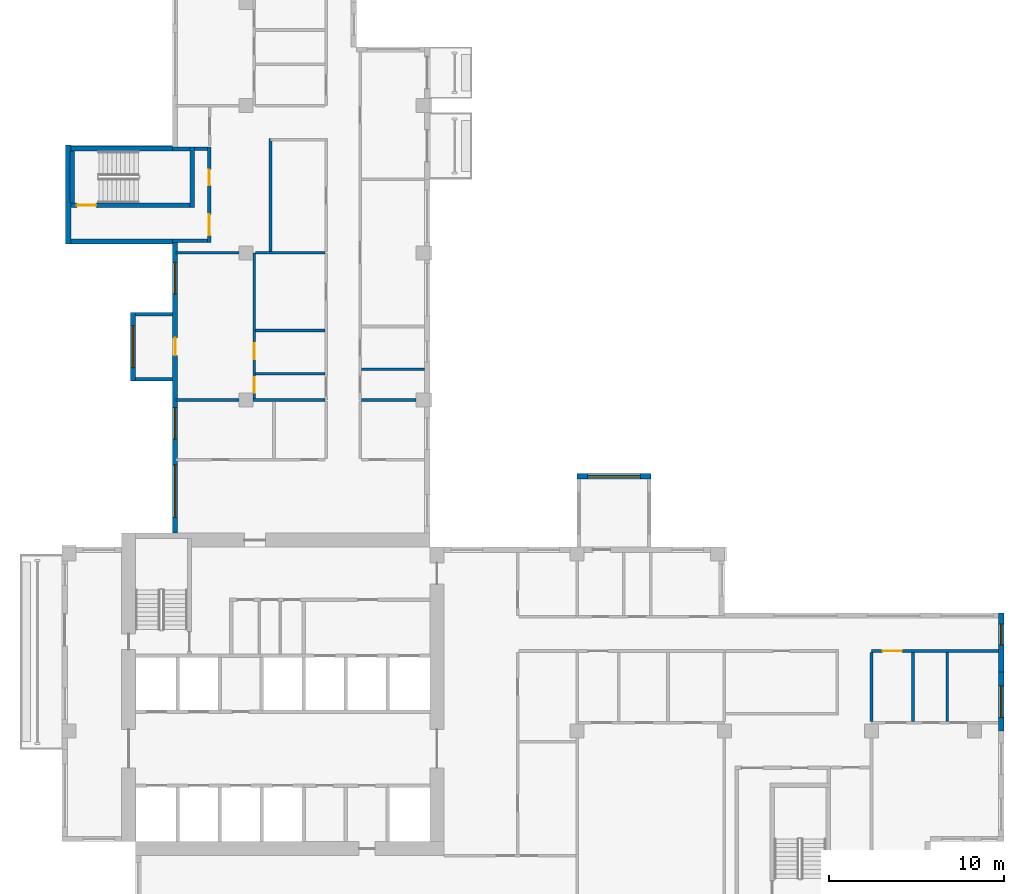
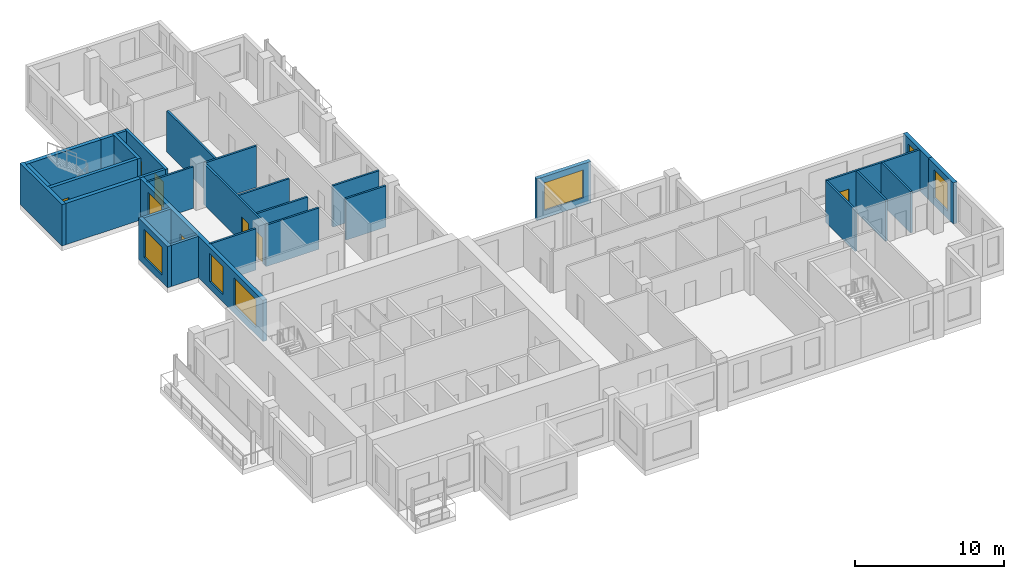
# One storey, part 6 of 12: 31 walls, 7 doors, 7 windows, 14 openings.
"""IFC4 building model written with IfcOpenShell, lengths in metres."""

from ifc_helpers import new_model, si_unit, direction, frame, frame_2d, origin, place, context, subcontext, project, spatial, rectangle, extrude, source, transform, mapped, material, layer, layer_set, type_object, element, fill, save


model = new_model("IFC4")

# Units and contexts
model_context = context("Model", 3, precision=1e-05, world=origin(), true_north=direction((0.0, 1.0)))
body_context = subcontext(model_context, "Body", "Model", "MODEL_VIEW")
ifc_project = project(units=[si_unit("LENGTHUNIT", "METRE"), si_unit("AREAUNIT", "SQUARE_METRE"), si_unit("VOLUMEUNIT", "CUBIC_METRE"), si_unit("PLANEANGLEUNIT", "RADIAN"), si_unit("MASSUNIT", "GRAM", prefix="KILO")], contexts=[model_context])

# Site, building, storey
site_placement = place(None, origin())
site = spatial("IfcSite", under=ifc_project, at=site_placement, CompositionType="ELEMENT")
building_placement = place(site_placement, origin())
building = spatial("IfcBuilding", under=site, at=building_placement, Name="Aurelian Terraces", CompositionType="ELEMENT")
storey_placement = place(building_placement, frame((0.0, 0.0, 246.2)))
storey = spatial("IfcBuildingStorey", under=building, at=storey_placement, Name="L56", CompositionType="ELEMENT", Elevation=246.2)

# Walls
ifc_material_1 = material(Name="Concrete fc' 40 MPa", Category="concrete")
ifc_layer_1 = layer(ifc_material_1, 0.3)
ifc_layer_set_1 = layer_set([ifc_layer_1], Name="STAIR BAY WALL 300")
wall_type_1 = type_object("IfcWallType", Name="STAIR BAY WALL 300", PredefinedType="SOLIDWALL", material=ifc_layer_set_1)
shared_shape_1 = source(origin(), body_context, "Body", "SweptSolid", [
    extrude(rectangle(XDim=6.1, YDim=0.3, at=frame_2d((3.05, 0.0))), origin(), (0.0, 0.0, 1.0), 3.4),
])
for number, where, z_axis, x_axis, name in (
    (1, (6.3, 43.75, 0.0), (0.0, 0.0, 1.0), (-1.0, 0.0, 0.0), "Stair bay wall L56 F13.28"),
    (2, (0.2, 38.45, 0.0), (0.0, 0.0, 1.0), (1.0, 0.0, 0.0), "Stair bay wall L56 F15.30"),
):
    element("IfcWall", number, at=place(storey_placement, frame(where, z_axis=z_axis, x_axis=x_axis)), inside=storey, type_object=wall_type_1, Name=name, PredefinedType="SOLIDWALL", context=body_context, shape_type="MappedRepresentation", body=[
        mapped(shared_shape_1, transform((0.0, 0.0, 0.0), scale=1.0)),
    ])

# Wall, opening, window
ifc_layer_2 = layer(ifc_material_1, 0.3)
ifc_layer_set_2 = layer_set([ifc_layer_2], Name="BOX BEARING WALL 300")
wall_type_2 = type_object("IfcWallType", Name="BOX BEARING WALL 300", PredefinedType="SOLIDWALL", material=ifc_layer_set_2)
shared_shape_2 = source(origin(), body_context, "Body", "SweptSolid", [
    extrude(rectangle(XDim=4.2, YDim=0.3, at=frame_2d((2.1, 0.0))), origin(), (0.0, 0.0, 1.0), 3.4),
])
wall_1_placement = place(storey_placement, frame((33.6, 25.05, 0.0), z_axis=(0.0, 0.0, 1.0), x_axis=(-1.0, 0.0, 0.0)))
wall_1 = element("IfcWall", 3, at=wall_1_placement, inside=storey, type_object=wall_type_2, Name="Box wall L56 J81", PredefinedType="SOLIDWALL", context=body_context, shape_type="MappedRepresentation", body=[
    mapped(shared_shape_2, transform((0.0, 0.0, 0.0), scale=1.0)),
])
shared_shape_3 = source(origin(), body_context, "Body", "SweptSolid", [
    extrude(rectangle(XDim=3.0, YDim=2.3, at=frame_2d((1.5, 1.15))), frame((0.0, 0.16, 0.0), z_axis=(0.0, -1.0, 0.0), x_axis=(1.0, 0.0, 0.0)), (0.0, 0.0, 1.0), 0.32),
])
opening_1_placement = place(wall_1_placement, frame((0.6, 0.0, 0.6)))
opening_1 = element("IfcOpeningElement", 4, at=opening_1_placement, cuts=wall_1, Name="Opening W3023", PredefinedType="OPENING", context=body_context, shape_type="MappedRepresentation", body=[
    mapped(shared_shape_3, transform((0.0, 0.0, 0.0), scale=1.0)),
])
ifc_material_2 = material(Name="Clear glazing", Category="glass")
window_type_1 = type_object("IfcWindowType", Name="W-3000x2300", PartitioningType="SINGLE_PANEL", PredefinedType="WINDOW", material=ifc_material_2)
shared_shape_4 = source(origin(), body_context, "Body", "SweptSolid", [
    extrude(rectangle(XDim=3.0, YDim=2.3, at=frame_2d((1.5, 1.15))), frame((0.0, 0.03, 0.0), z_axis=(0.0, -1.0, 0.0), x_axis=(1.0, 0.0, 0.0)), (0.0, 0.0, 1.0), 0.06),
])
window_1_placement = place(opening_1_placement, origin())
window_1 = element("IfcWindow", 5, at=window_1_placement, inside=storey, type_object=window_type_1, Name="Window L56 J81-F1", OverallHeight=2.3, OverallWidth=3.0, PartitioningType="SINGLE_PANEL", PredefinedType="WINDOW", context=body_context, shape_type="MappedRepresentation", body=[
    mapped(shared_shape_4, transform((0.0, 0.0, 0.0), scale=1.0)),
])
fill(opening_1, window_1)

ifc_material_3 = material(Name="Terracotta rainscreen cladding", Category="masonry")
ifc_layer_3 = layer(ifc_material_3, 0.3)
ifc_layer_set_3 = layer_set([ifc_layer_3], Name="EW-300")
wall_type_3 = type_object("IfcWallType", Name="EW-300", PredefinedType="STANDARD", material=ifc_layer_set_3)
shared_shape_5 = source(origin(), body_context, "Body", "SweptSolid", [
    extrude(rectangle(XDim=3.375, YDim=0.3, at=frame_2d((1.6875, 0.0))), origin(), (0.0, 0.0, 1.0), 3.4),
])
wall_2_placement = place(storey_placement, frame((53.61, 10.5, 0.0), z_axis=(0.0, 0.0, 1.0), x_axis=(0.0, 1.0, 0.0)))
wall_2 = element("IfcWall", 6, at=wall_2_placement, inside=storey, type_object=wall_type_3, Name="External wall L56 F04.12", PredefinedType="STANDARD", context=body_context, shape_type="MappedRepresentation", body=[
    mapped(shared_shape_5, transform((0.0, 0.0, 0.0), scale=1.0)),
])
shared_shape_6 = source(origin(), body_context, "Body", "SweptSolid", [
    extrude(rectangle(XDim=1.8, YDim=2.3, at=frame_2d((0.9, 1.15))), frame((0.0, 0.16, 0.0), z_axis=(0.0, -1.0, 0.0), x_axis=(1.0, 0.0, 0.0)), (0.0, 0.0, 1.0), 0.32),
])
opening_2_placement = place(wall_2_placement, frame((0.7875, 0.0, 0.6)))
opening_2 = element("IfcOpeningElement", 7, at=opening_2_placement, cuts=wall_2, Name="Opening W1823", PredefinedType="OPENING", context=body_context, shape_type="MappedRepresentation", body=[
    mapped(shared_shape_6, transform((0.0, 0.0, 0.0), scale=1.0)),
])
window_type_2 = type_object("IfcWindowType", Name="W-1800x2300", PartitioningType="SINGLE_PANEL", PredefinedType="WINDOW", material=ifc_material_2)
shared_shape_7 = source(origin(), body_context, "Body", "SweptSolid", [
    extrude(rectangle(XDim=1.8, YDim=2.3, at=frame_2d((0.9, 1.15))), frame((0.0, 0.03, 0.0), z_axis=(0.0, -1.0, 0.0), x_axis=(1.0, 0.0, 0.0)), (0.0, 0.0, 1.0), 0.06),
])
window_2_placement = place(opening_2_placement, origin())
window_2 = element("IfcWindow", 8, at=window_2_placement, inside=storey, type_object=window_type_2, Name="Window L56 L56-F04-12-0", OverallHeight=2.3, OverallWidth=1.8, PartitioningType="SINGLE_PANEL", PredefinedType="WINDOW", context=body_context, shape_type="MappedRepresentation", body=[
    mapped(shared_shape_7, transform((0.0, 0.0, 0.0), scale=1.0)),
])
fill(opening_2, window_2)

wall_3_placement = place(storey_placement, frame((53.61, 13.875, 0.0), z_axis=(0.0, 0.0, 1.0), x_axis=(0.0, 1.0, 0.0)))
wall_3 = element("IfcWall", 9, at=wall_3_placement, inside=storey, type_object=wall_type_3, Name="External wall L56 F04.13", PredefinedType="STANDARD", context=body_context, shape_type="MappedRepresentation", body=[
    mapped(shared_shape_5, transform((0.0, 0.0, 0.0), scale=1.0)),
])
shared_shape_8 = source(origin(), body_context, "Body", "SweptSolid", [
    extrude(rectangle(XDim=1.2, YDim=2.3, at=frame_2d((0.6, 1.15))), frame((0.0, 0.16, 0.0), z_axis=(0.0, -1.0, 0.0), x_axis=(1.0, 0.0, 0.0)), (0.0, 0.0, 1.0), 0.32),
])
opening_3_placement = place(wall_3_placement, frame((1.5312, 0.0, 0.6)))
opening_3 = element("IfcOpeningElement", 10, at=opening_3_placement, cuts=wall_3, Name="Opening W1223", PredefinedType="OPENING", context=body_context, shape_type="MappedRepresentation", body=[
    mapped(shared_shape_8, transform((0.0, 0.0, 0.0), scale=1.0)),
])
window_type_3 = type_object("IfcWindowType", Name="W-1200x2300", PartitioningType="SINGLE_PANEL", PredefinedType="WINDOW", material=ifc_material_2)
shared_shape_9 = source(origin(), body_context, "Body", "SweptSolid", [
    extrude(rectangle(XDim=1.2, YDim=2.3, at=frame_2d((0.6, 1.15))), frame((0.0, 0.03, 0.0), z_axis=(0.0, -1.0, 0.0), x_axis=(1.0, 0.0, 0.0)), (0.0, 0.0, 1.0), 0.06),
])
window_3_placement = place(opening_3_placement, origin())
window_3 = element("IfcWindow", 11, at=window_3_placement, inside=storey, type_object=window_type_3, Name="Window L56 L56-F04-13-P0", OverallHeight=2.3, OverallWidth=1.2, PartitioningType="SINGLE_PANEL", PredefinedType="WINDOW", context=body_context, shape_type="MappedRepresentation", body=[
    mapped(shared_shape_9, transform((0.0, 0.0, 0.0), scale=1.0)),
])
fill(opening_3, window_3)

# Wall
shared_shape_10 = source(origin(), body_context, "Body", "SweptSolid", [
    extrude(rectangle(XDim=5.65, YDim=0.3, at=frame_2d((2.825, 0.0))), origin(), (0.0, 0.0, 1.0), 3.4),
])
wall_4_placement = place(storey_placement, frame((0.35, 43.95, 0.0), z_axis=(0.0, 0.0, 1.0), x_axis=(0.0, -1.0, 0.0)))
element("IfcWall", 12, at=wall_4_placement, inside=storey, type_object=wall_type_1, Name="Stair bay wall L56 F14.29", PredefinedType="SOLIDWALL", context=body_context, shape_type="MappedRepresentation", body=[
    mapped(shared_shape_10, transform((0.0, 0.0, 0.0), scale=1.0)),
])

# Wall, openings, windows, door
shared_shape_11 = source(origin(), body_context, "Body", "SweptSolid", [
    extrude(rectangle(XDim=16.6, YDim=0.3, at=frame_2d((8.3, 0.0))), origin(), (0.0, 0.0, 1.0), 3.4),
])
wall_5_placement = place(storey_placement, frame((6.45, 38.4, 0.0), z_axis=(0.0, 0.0, 1.0), x_axis=(0.0, -1.0, 0.0)))
wall_5 = element("IfcWall", 13, at=wall_5_placement, inside=storey, type_object=wall_type_3, Name="External wall L56 F16.31", PredefinedType="STANDARD", context=body_context, shape_type="MappedRepresentation", body=[
    mapped(shared_shape_11, transform((0.0, 0.0, 0.0), scale=1.0)),
])
opening_4_placement = place(wall_5_placement, frame((1.15, 0.0, 0.6)))
opening_4 = element("IfcOpeningElement", 14, at=opening_4_placement, cuts=wall_5, Name="Opening W1823", PredefinedType="OPENING", context=body_context, shape_type="MappedRepresentation", body=[
    mapped(shared_shape_6, transform((0.0, 0.0, 0.0), scale=1.0)),
])
opening_5_placement = place(wall_5_placement, frame((9.4375, 0.0, 0.6)))
opening_5 = element("IfcOpeningElement", 15, at=opening_5_placement, cuts=wall_5, Name="Opening W1823", PredefinedType="OPENING", context=body_context, shape_type="MappedRepresentation", body=[
    mapped(shared_shape_6, transform((0.0, 0.0, 0.0), scale=1.0)),
])
opening_6_placement = place(wall_5_placement, frame((12.7, 0.0, 0.6)))
opening_6 = element("IfcOpeningElement", 16, at=opening_6_placement, cuts=wall_5, Name="Opening W3023", PredefinedType="OPENING", context=body_context, shape_type="MappedRepresentation", body=[
    mapped(shared_shape_3, transform((0.0, 0.0, 0.0), scale=1.0)),
])
shared_shape_12 = source(origin(), body_context, "Body", "SweptSolid", [
    extrude(rectangle(XDim=1.0, YDim=2.1, at=frame_2d((0.5, 1.05))), frame((0.0, 0.16, 0.0), z_axis=(0.0, -1.0, 0.0), x_axis=(1.0, 0.0, 0.0)), (0.0, 0.0, 1.0), 0.32),
])
opening_7_placement = place(wall_5_placement, frame((5.45, 0.0, 0.0)))
opening_7 = element("IfcOpeningElement", 17, at=opening_7_placement, cuts=wall_5, Name="Opening 856004", PredefinedType="OPENING", context=body_context, shape_type="MappedRepresentation", body=[
    mapped(shared_shape_12, transform((0.0, 0.0, 0.0), scale=1.0)),
])
window_4_placement = place(opening_6_placement, origin())
window_4 = element("IfcWindow", 18, at=window_4_placement, inside=storey, type_object=window_type_1, Name="Window L56 L56-F16-31-3", OverallHeight=2.3, OverallWidth=3.0, PartitioningType="SINGLE_PANEL", PredefinedType="WINDOW", context=body_context, shape_type="MappedRepresentation", body=[
    mapped(shared_shape_4, transform((0.0, 0.0, 0.0), scale=1.0)),
])
fill(opening_6, window_4)
window_5_placement = place(opening_4_placement, origin())
window_5 = element("IfcWindow", 19, at=window_5_placement, inside=storey, type_object=window_type_2, Name="Window L56 L56-F16-31-0", OverallHeight=2.3, OverallWidth=1.8, PartitioningType="SINGLE_PANEL", PredefinedType="WINDOW", context=body_context, shape_type="MappedRepresentation", body=[
    mapped(shared_shape_7, transform((0.0, 0.0, 0.0), scale=1.0)),
])
fill(opening_4, window_5)
window_6_placement = place(opening_5_placement, origin())
window_6 = element("IfcWindow", 20, at=window_6_placement, inside=storey, type_object=window_type_2, Name="Window L56 L56-F16-31-2", OverallHeight=2.3, OverallWidth=1.8, PartitioningType="SINGLE_PANEL", PredefinedType="WINDOW", context=body_context, shape_type="MappedRepresentation", body=[
    mapped(shared_shape_7, transform((0.0, 0.0, 0.0), scale=1.0)),
])
fill(opening_5, window_6)
ifc_material_4 = material(Name="Timber door leaf", Category="wood")
door_type_1 = type_object("IfcDoorType", Name="Room door 1000x2100 left", OperationType="SINGLE_SWING_LEFT", PredefinedType="DOOR", material=ifc_material_4)
shared_shape_13 = source(origin(), body_context, "Body", "SweptSolid", [
    extrude(rectangle(XDim=1.0, YDim=2.1, at=frame_2d((0.5, 1.05))), frame((0.0, 0.025, 0.0), z_axis=(0.0, -1.0, 0.0), x_axis=(1.0, 0.0, 0.0)), (0.0, 0.0, 1.0), 0.05),
])
door_1_placement = place(opening_7_placement, origin())
door_1 = element("IfcDoor", 21, at=door_1_placement, inside=storey, type_object=door_type_1, Name="Door 856004", OperationType="SINGLE_SWING_LEFT", OverallHeight=2.1, OverallWidth=1.0, PredefinedType="DOOR", context=body_context, shape_type="MappedRepresentation", body=[
    mapped(shared_shape_13, transform((0.0, 0.0, 0.0), scale=1.0)),
])
fill(opening_7, door_1)

# Walls
ifc_layer_4 = layer(ifc_material_1, 0.2)
ifc_layer_set_4 = layer_set([ifc_layer_4], Name="BOX BEARING WALL 200")
wall_type_4 = type_object("IfcWallType", Name="BOX BEARING WALL 200", PredefinedType="SOLIDWALL", material=ifc_layer_set_4)
shared_shape_14 = source(origin(), body_context, "Body", "SweptSolid", [
    extrude(rectangle(XDim=2.1, YDim=0.2, at=frame_2d((1.05, 0.0))), origin(), (0.0, 0.0, 1.0), 3.4),
])
for number, where, z_axis, x_axis, name in (
    (22, (6.3, 34.3, 0.0), (0.0, 0.0, 1.0), (-1.0, 0.0, 0.0), "Box return L56 J82.1"),
    (23, (6.3, 30.6, 0.0), (0.0, 0.0, 1.0), (-1.0, 0.0, 0.0), "Box return L56 J82.2"),
):
    element("IfcWall", number, at=place(storey_placement, frame(where, z_axis=z_axis, x_axis=x_axis)), inside=storey, type_object=wall_type_4, Name=name, PredefinedType="SOLIDWALL", context=body_context, shape_type="MappedRepresentation", body=[
        mapped(shared_shape_14, transform((0.0, 0.0, 0.0), scale=1.0)),
    ])

# Wall, opening, window
shared_shape_15 = source(origin(), body_context, "Body", "SweptSolid", [
    extrude(rectangle(XDim=3.9, YDim=0.3, at=frame_2d((1.95, 0.0))), origin(), (0.0, 0.0, 1.0), 3.4),
])
wall_6_placement = place(storey_placement, frame((4.05, 34.4, 0.0), z_axis=(0.0, 0.0, 1.0), x_axis=(0.0, -1.0, 0.0)))
wall_6 = element("IfcWall", 24, at=wall_6_placement, inside=storey, type_object=wall_type_2, Name="Box wall L56 J82", PredefinedType="SOLIDWALL", context=body_context, shape_type="MappedRepresentation", body=[
    mapped(shared_shape_15, transform((0.0, 0.0, 0.0), scale=1.0)),
])
shared_shape_16 = source(origin(), body_context, "Body", "SweptSolid", [
    extrude(rectangle(XDim=2.4, YDim=2.3, at=frame_2d((1.2, 1.15))), frame((0.0, 0.16, 0.0), z_axis=(0.0, -1.0, 0.0), x_axis=(1.0, 0.0, 0.0)), (0.0, 0.0, 1.0), 0.32),
])
opening_8_placement = place(wall_6_placement, frame((0.75, 0.0, 0.6)))
opening_8 = element("IfcOpeningElement", 25, at=opening_8_placement, cuts=wall_6, Name="Opening W2423", PredefinedType="OPENING", context=body_context, shape_type="MappedRepresentation", body=[
    mapped(shared_shape_16, transform((0.0, 0.0, 0.0), scale=1.0)),
])
window_type_4 = type_object("IfcWindowType", Name="W-2400x2300", PartitioningType="SINGLE_PANEL", PredefinedType="WINDOW", material=ifc_material_2)
shared_shape_17 = source(origin(), body_context, "Body", "SweptSolid", [
    extrude(rectangle(XDim=2.4, YDim=2.3, at=frame_2d((1.2, 1.15))), frame((0.0, 0.03, 0.0), z_axis=(0.0, -1.0, 0.0), x_axis=(1.0, 0.0, 0.0)), (0.0, 0.0, 1.0), 0.06),
])
window_7_placement = place(opening_8_placement, origin())
window_7 = element("IfcWindow", 26, at=window_7_placement, inside=storey, type_object=window_type_4, Name="Window L56 J82-F1", OverallHeight=2.3, OverallWidth=2.4, PartitioningType="SINGLE_PANEL", PredefinedType="WINDOW", context=body_context, shape_type="MappedRepresentation", body=[
    mapped(shared_shape_17, transform((0.0, 0.0, 0.0), scale=1.0)),
])
fill(opening_8, window_7)

# Wall, opening, door
ifc_layer_5 = layer(ifc_material_1, 0.25)
ifc_layer_set_5 = layer_set([ifc_layer_5], Name="Stair enclosure wall 250")
wall_type_5 = type_object("IfcWallType", Name="Stair enclosure wall 250", PredefinedType="SOLIDWALL", material=ifc_layer_set_5)
shared_shape_18 = source(origin(), body_context, "Body", "SweptSolid", [
    extrude(rectangle(XDim=7.0, YDim=0.25, at=frame_2d((3.5, 0.0))), origin(), (0.0, 0.0, 1.0), 3.4),
])
wall_7_placement = place(storey_placement, frame((0.3, 40.525, 0.0), z_axis=(0.0, 0.0, 1.0), x_axis=(1.0, 0.0, 0.0)))
wall_7 = element("IfcWall", 27, at=wall_7_placement, inside=storey, type_object=wall_type_5, Name="L56 core wall ST-S3-W", PredefinedType="SOLIDWALL", context=body_context, shape_type="MappedRepresentation", body=[
    mapped(shared_shape_18, transform((0.0, 0.0, 0.0), scale=1.0)),
])
shared_shape_19 = source(origin(), body_context, "Body", "SweptSolid", [
    extrude(rectangle(XDim=1.1, YDim=2.1, at=frame_2d((0.55, 1.05))), frame((0.0, 0.135, 0.0), z_axis=(0.0, -1.0, 0.0), x_axis=(1.0, 0.0, 0.0)), (0.0, 0.0, 1.0), 0.27),
])
opening_9_placement = place(wall_7_placement, frame((0.55, 0.0, 0.0)))
opening_9 = element("IfcOpeningElement", 28, at=opening_9_placement, cuts=wall_7, Name="Opening 65920", PredefinedType="OPENING", context=body_context, shape_type="MappedRepresentation", body=[
    mapped(shared_shape_19, transform((0.0, 0.0, 0.0), scale=1.0)),
])
ifc_material_5 = material(Name="Steel door leaf", Category="steel")
door_type_2 = type_object("IfcDoorType", Name="Core fire door 1100x2100 right", OperationType="SINGLE_SWING_RIGHT", PredefinedType="DOOR", material=ifc_material_5)
shared_shape_20 = source(origin(), body_context, "Body", "SweptSolid", [
    extrude(rectangle(XDim=1.1, YDim=2.1, at=frame_2d((0.55, 1.05))), frame((0.0, 0.025, 0.0), z_axis=(0.0, -1.0, 0.0), x_axis=(1.0, 0.0, 0.0)), (0.0, 0.0, 1.0), 0.05),
])
door_2_placement = place(opening_9_placement, origin())
door_2 = element("IfcDoor", 29, at=door_2_placement, inside=storey, type_object=door_type_2, Name="Stair door 65920", OperationType="SINGLE_SWING_RIGHT", OverallHeight=2.1, OverallWidth=1.1, PredefinedType="DOOR", context=body_context, shape_type="MappedRepresentation", body=[
    mapped(shared_shape_20, transform((0.0, 0.0, 0.0), scale=1.0)),
])
fill(opening_9, door_2)

# Walls
shared_shape_21 = source(origin(), body_context, "Body", "SweptSolid", [
    extrude(rectangle(XDim=3.45, YDim=0.25, at=frame_2d((1.725, 0.0))), origin(), (0.0, 0.0, 1.0), 3.4),
])
wall_8_placement = place(storey_placement, frame((7.425, 40.4, 0.0), z_axis=(0.0, 0.0, 1.0), x_axis=(0.0, 1.0, 0.0)))
element("IfcWall", 30, at=wall_8_placement, inside=storey, type_object=wall_type_5, Name="L56 core wall ST-S3-N", PredefinedType="SOLIDWALL", context=body_context, shape_type="MappedRepresentation", body=[
    mapped(shared_shape_21, transform((0.0, 0.0, 0.0), scale=1.0)),
])
shared_shape_22 = source(origin(), body_context, "Body", "SweptSolid", [
    extrude(rectangle(XDim=2.95, YDim=0.25, at=frame_2d((1.475, 0.0))), origin(), (0.0, 0.0, 1.0), 3.4),
])
wall_9_placement = place(storey_placement, frame((0.575, 40.65, 0.0), z_axis=(0.0, 0.0, 1.0), x_axis=(0.0, 1.0, 0.0)))
element("IfcWall", 31, at=wall_9_placement, inside=storey, type_object=wall_type_5, Name="L56 core wall ST-S3-SS", PredefinedType="SOLIDWALL", context=body_context, shape_type="MappedRepresentation", body=[
    mapped(shared_shape_22, transform((0.0, 0.0, 0.0), scale=1.0)),
])

# Wall, openings, doors
ifc_material_6 = material(Name="Gypsum board on steel studs", Category="steel")
ifc_layer_6 = layer(ifc_material_6, 0.2)
ifc_layer_set_6 = layer_set([ifc_layer_6], Name="Core partition 200")
wall_type_6 = type_object("IfcWallType", Name="Core partition 200", PredefinedType="PARTITIONING", material=ifc_layer_set_6)
shared_shape_23 = source(origin(), body_context, "Body", "SweptSolid", [
    extrude(rectangle(XDim=5.45, YDim=0.2, at=frame_2d((2.725, 0.0))), origin(), (0.0, 0.0, 1.0), 3.4),
])
wall_10_placement = place(storey_placement, frame((8.4, 38.4, 0.0), z_axis=(0.0, 0.0, 1.0), x_axis=(0.0, 1.0, 0.0)))
wall_10 = element("IfcWall", 32, at=wall_10_placement, inside=storey, type_object=wall_type_6, Name="L56 core wall ST-S3-BN", PredefinedType="PARTITIONING", context=body_context, shape_type="MappedRepresentation", body=[
    mapped(shared_shape_23, transform((0.0, 0.0, 0.0), scale=1.0)),
])
shared_shape_24 = source(origin(), body_context, "Body", "SweptSolid", [
    extrude(rectangle(XDim=1.2, YDim=2.1, at=frame_2d((0.6, 1.05))), frame((0.0, 0.11, 0.0), z_axis=(0.0, -1.0, 0.0), x_axis=(1.0, 0.0, 0.0)), (0.0, 0.0, 1.0), 0.22),
])
opening_10_placement = place(wall_10_placement, frame((0.4, 0.0, 0.0)))
opening_10 = element("IfcOpeningElement", 33, at=opening_10_placement, cuts=wall_10, Name="Opening 65921", PredefinedType="OPENING", context=body_context, shape_type="MappedRepresentation", body=[
    mapped(shared_shape_24, transform((0.0, 0.0, 0.0), scale=1.0)),
])
shared_shape_25 = source(origin(), body_context, "Body", "SweptSolid", [
    extrude(rectangle(XDim=0.9, YDim=2.1, at=frame_2d((0.45, 1.05))), frame((0.0, 0.11, 0.0), z_axis=(0.0, -1.0, 0.0), x_axis=(1.0, 0.0, 0.0)), (0.0, 0.0, 1.0), 0.22),
])
opening_11_placement = place(wall_10_placement, frame((3.25, 0.0, 0.0)))
opening_11 = element("IfcOpeningElement", 34, at=opening_11_placement, cuts=wall_10, Name="Opening 65922", PredefinedType="OPENING", context=body_context, shape_type="MappedRepresentation", body=[
    mapped(shared_shape_25, transform((0.0, 0.0, 0.0), scale=1.0)),
])
door_type_3 = type_object("IfcDoorType", Name="Core riser door 900x2100 right", OperationType="SINGLE_SWING_RIGHT", PredefinedType="DOOR", material=ifc_material_5)
shared_shape_26 = source(origin(), body_context, "Body", "SweptSolid", [
    extrude(rectangle(XDim=0.9, YDim=2.1, at=frame_2d((0.45, 1.05))), frame((0.0, 0.025, 0.0), z_axis=(0.0, -1.0, 0.0), x_axis=(1.0, 0.0, 0.0)), (0.0, 0.0, 1.0), 0.05),
])
door_3_placement = place(opening_11_placement, origin())
door_3 = element("IfcDoor", 35, at=door_3_placement, inside=storey, type_object=door_type_3, Name="Riser door 65922", OperationType="SINGLE_SWING_RIGHT", OverallHeight=2.1, OverallWidth=0.9, PredefinedType="DOOR", context=body_context, shape_type="MappedRepresentation", body=[
    mapped(shared_shape_26, transform((0.0, 0.0, 0.0), scale=1.0)),
])
fill(opening_11, door_3)
door_type_4 = type_object("IfcDoorType", Name="Core fire door 1200x2100", OperationType="SINGLE_SWING_LEFT", PredefinedType="DOOR", material=ifc_material_5)
shared_shape_27 = source(origin(), body_context, "Body", "SweptSolid", [
    extrude(rectangle(XDim=1.2, YDim=2.1, at=frame_2d((0.6, 1.05))), frame((0.0, 0.025, 0.0), z_axis=(0.0, -1.0, 0.0), x_axis=(1.0, 0.0, 0.0)), (0.0, 0.0, 1.0), 0.05),
])
door_4_placement = place(opening_10_placement, origin())
door_4 = element("IfcDoor", 36, at=door_4_placement, inside=storey, type_object=door_type_4, Name="Vestibule door 65921", OperationType="SINGLE_SWING_LEFT", OverallHeight=2.1, OverallWidth=1.2, PredefinedType="DOOR", context=body_context, shape_type="MappedRepresentation", body=[
    mapped(shared_shape_27, transform((0.0, 0.0, 0.0), scale=1.0)),
])
fill(opening_10, door_4)

# Walls
shared_shape_28 = source(origin(), body_context, "Body", "SweptSolid", [
    extrude(rectangle(XDim=0.75, YDim=0.2, at=frame_2d((0.375, 0.0))), origin(), (0.0, 0.0, 1.0), 3.4),
])
wall_11_placement = place(storey_placement, frame((7.55, 43.75, 0.0), z_axis=(0.0, 0.0, 1.0), x_axis=(1.0, 0.0, 0.0)))
element("IfcWall", 37, at=wall_11_placement, inside=storey, type_object=wall_type_6, Name="L56 core wall ST-S3-RE", PredefinedType="PARTITIONING", context=body_context, shape_type="MappedRepresentation", body=[
    mapped(shared_shape_28, transform((0.0, 0.0, 0.0), scale=1.0)),
])
shared_shape_29 = source(origin(), body_context, "Body", "SweptSolid", [
    extrude(rectangle(XDim=1.0, YDim=0.25, at=frame_2d((0.5, 0.0))), origin(), (0.0, 0.0, 1.0), 3.4),
])
wall_12_placement = place(storey_placement, frame((6.3, 43.725, 0.0), z_axis=(0.0, 0.0, 1.0), x_axis=(1.0, 0.0, 0.0)))
element("IfcWall", 38, at=wall_12_placement, inside=storey, type_object=wall_type_5, Name="L56 core wall ST-S3-E", PredefinedType="SOLIDWALL", context=body_context, shape_type="MappedRepresentation", body=[
    mapped(shared_shape_29, transform((0.0, 0.0, 0.0), scale=1.0)),
])
shared_shape_30 = source(origin(), body_context, "Body", "SweptSolid", [
    extrude(rectangle(XDim=2.0, YDim=0.2, at=frame_2d((1.0, 0.0))), origin(), (0.0, 0.0, 1.0), 3.4),
])
wall_13_placement = place(storey_placement, frame((6.3, 38.5, 0.0), z_axis=(0.0, 0.0, 1.0), x_axis=(1.0, 0.0, 0.0)))
element("IfcWall", 39, at=wall_13_placement, inside=storey, type_object=wall_type_6, Name="L56 core wall ST-S3-VW", PredefinedType="PARTITIONING", context=body_context, shape_type="MappedRepresentation", body=[
    mapped(shared_shape_30, transform((0.0, 0.0, 0.0), scale=1.0)),
])
ifc_layer_7 = layer(ifc_material_6, 0.15)
ifc_layer_set_7 = layer_set([ifc_layer_7], Name="Partition 150")
wall_type_7 = type_object("IfcWallType", Name="Partition 150", PredefinedType="PARTITIONING", material=ifc_layer_set_7)
shared_shape_31 = source(origin(), body_context, "Body", "SweptSolid", [
    extrude(rectangle(XDim=6.45, YDim=0.15, at=frame_2d((3.225, 0.0))), origin(), (0.0, 0.0, 1.0), 3.4),
])
wall_14_placement = place(storey_placement, frame((11.9, 44.325, 0.0), z_axis=(0.0, 0.0, 1.0), x_axis=(0.0, -1.0, 0.0)))
element("IfcWall", 40, at=wall_14_placement, inside=storey, type_object=wall_type_7, Name="Partition", PredefinedType="PARTITIONING", context=body_context, shape_type="MappedRepresentation", body=[
    mapped(shared_shape_31, transform((0.0, 0.0, 0.0), scale=1.0)),
])
shared_shape_32 = source(origin(), body_context, "Body", "SweptSolid", [
    extrude(rectangle(XDim=3.6, YDim=0.15, at=frame_2d((1.8, 0.0))), origin(), (0.0, 0.0, 1.0), 3.4),
])
wall_15_placement = place(storey_placement, frame((17.1, 31.1634, 0.0), z_axis=(0.0, 0.0, 1.0), x_axis=(1.0, 0.0, 0.0)))
element("IfcWall", 41, at=wall_15_placement, inside=storey, type_object=wall_type_7, Name="Partition", PredefinedType="PARTITIONING", context=body_context, shape_type="MappedRepresentation", body=[
    mapped(shared_shape_32, transform((0.0, 0.0, 0.0), scale=1.0)),
])

# Wall, openings, doors
shared_shape_33 = source(origin(), body_context, "Body", "SweptSolid", [
    extrude(rectangle(XDim=8.4, YDim=0.15, at=frame_2d((4.2, 0.0))), origin(), (0.0, 0.0, 1.0), 3.4),
])
wall_16_placement = place(storey_placement, frame((10.975, 29.4, 0.0), z_axis=(0.0, 0.0, 1.0), x_axis=(0.0, 1.0, 0.0)))
wall_16 = element("IfcWall", 42, at=wall_16_placement, inside=storey, type_object=wall_type_7, Name="Partition", PredefinedType="PARTITIONING", context=body_context, shape_type="MappedRepresentation", body=[
    mapped(shared_shape_33, transform((0.0, 0.0, 0.0), scale=1.0)),
])
shared_shape_34 = source(origin(), body_context, "Body", "SweptSolid", [
    extrude(rectangle(XDim=0.9, YDim=2.1, at=frame_2d((0.45, 1.05))), frame((0.0, 0.085, 0.0), z_axis=(0.0, -1.0, 0.0), x_axis=(1.0, 0.0, 0.0)), (0.0, 0.0, 1.0), 0.17),
])
opening_12_placement = place(wall_16_placement, frame((0.408, 0.0, 0.0)))
opening_12 = element("IfcOpeningElement", 43, at=opening_12_placement, cuts=wall_16, Name="Opening 756024", PredefinedType="OPENING", context=body_context, shape_type="MappedRepresentation", body=[
    mapped(shared_shape_34, transform((0.0, 0.0, 0.0), scale=1.0)),
])
opening_13_placement = place(wall_16_placement, frame((2.3283, 0.0, 0.0)))
opening_13 = element("IfcOpeningElement", 44, at=opening_13_placement, cuts=wall_16, Name="Opening 756025", PredefinedType="OPENING", context=body_context, shape_type="MappedRepresentation", body=[
    mapped(shared_shape_34, transform((0.0, 0.0, 0.0), scale=1.0)),
])
door_type_5 = type_object("IfcDoorType", Name="Room door 900x2100 left", OperationType="SINGLE_SWING_LEFT", PredefinedType="DOOR", material=ifc_material_4)
door_5_placement = place(opening_12_placement, origin())
door_5 = element("IfcDoor", 45, at=door_5_placement, inside=storey, type_object=door_type_5, Name="Door 756024", OperationType="SINGLE_SWING_LEFT", OverallHeight=2.1, OverallWidth=0.9, PredefinedType="DOOR", context=body_context, shape_type="MappedRepresentation", body=[
    mapped(shared_shape_26, transform((0.0, 0.0, 0.0), scale=1.0)),
])
fill(opening_12, door_5)
door_type_6 = type_object("IfcDoorType", Name="Room door 900x2100 right", OperationType="SINGLE_SWING_RIGHT", PredefinedType="DOOR", material=ifc_material_4)
door_6_placement = place(opening_13_placement, origin())
door_6 = element("IfcDoor", 46, at=door_6_placement, inside=storey, type_object=door_type_6, Name="Door 756025", OperationType="SINGLE_SWING_RIGHT", OverallHeight=2.1, OverallWidth=0.9, PredefinedType="DOOR", context=body_context, shape_type="MappedRepresentation", body=[
    mapped(shared_shape_26, transform((0.0, 0.0, 0.0), scale=1.0)),
])
fill(opening_13, door_6)

# Wall, opening, door
ifc_layer_8 = layer(ifc_material_6, 0.15)
ifc_layer_set_8 = layer_set([ifc_layer_8], Name="Fire partition 150")
wall_type_8 = type_object("IfcWallType", Name="Fire partition 150", PredefinedType="PARTITIONING", material=ifc_layer_set_8)
shared_shape_35 = source(origin(), body_context, "Body", "SweptSolid", [
    extrude(rectangle(XDim=7.26, YDim=0.15, at=frame_2d((3.63, 0.0))), origin(), (0.0, 0.0, 1.0), 3.4),
])
wall_17_placement = place(storey_placement, frame((53.46, 15.075, 0.0), z_axis=(0.0, 0.0, 1.0), x_axis=(-1.0, 0.0, 0.0)))
wall_17 = element("IfcWall", 47, at=wall_17_placement, inside=storey, type_object=wall_type_8, Name="Corridor wall", PredefinedType="PARTITIONING", context=body_context, shape_type="MappedRepresentation", body=[
    mapped(shared_shape_35, transform((0.0, 0.0, 0.0), scale=1.0)),
])
shared_shape_36 = source(origin(), body_context, "Body", "SweptSolid", [
    extrude(rectangle(XDim=1.1, YDim=2.1, at=frame_2d((0.55, 1.05))), frame((0.0, 0.085, 0.0), z_axis=(0.0, -1.0, 0.0), x_axis=(1.0, 0.0, 0.0)), (0.0, 0.0, 1.0), 0.17),
])
opening_14_placement = place(wall_17_placement, frame((5.5251, 0.0, 0.0)))
opening_14 = element("IfcOpeningElement", 48, at=opening_14_placement, cuts=wall_17, Name="Opening 756011", PredefinedType="OPENING", context=body_context, shape_type="MappedRepresentation", body=[
    mapped(shared_shape_36, transform((0.0, 0.0, 0.0), scale=1.0)),
])
door_type_7 = type_object("IfcDoorType", Name="Entrance fire door 1100x2100 right", OperationType="SINGLE_SWING_RIGHT", PredefinedType="DOOR", material=ifc_material_5)
door_7_placement = place(opening_14_placement, origin())
door_7 = element("IfcDoor", 49, at=door_7_placement, inside=storey, type_object=door_type_7, Name="Door 756011", OperationType="SINGLE_SWING_RIGHT", OverallHeight=2.1, OverallWidth=1.1, PredefinedType="DOOR", context=body_context, shape_type="MappedRepresentation", body=[
    mapped(shared_shape_20, transform((0.0, 0.0, 0.0), scale=1.0)),
])
fill(opening_14, door_7)

# Walls
shared_shape_37 = source(origin(), body_context, "Body", "SweptSolid", [
    extrude(rectangle(XDim=3.95, YDim=0.15, at=frame_2d((1.975, 0.0))), origin(), (0.0, 0.0, 1.0), 3.4),
])
for number, where, z_axis, x_axis, name in (
    (50, (48.5699, 11.05, 0.0), (0.0, 0.0, 1.0), (0.0, 1.0, 0.0), "Partition"),
    (51, (50.5229, 11.05, 0.0), (0.0, 0.0, 1.0), (0.0, 1.0, 0.0), "Partition"),
):
    element("IfcWall", number, at=place(storey_placement, frame(where, z_axis=z_axis, x_axis=x_axis)), inside=storey, type_object=wall_type_7, Name=name, PredefinedType="PARTITIONING", context=body_context, shape_type="MappedRepresentation", body=[
        mapped(shared_shape_37, transform((0.0, 0.0, 0.0), scale=1.0)),
    ])
wall_18_placement = place(storey_placement, frame((46.2, 11.05, 0.0), z_axis=(0.0, 0.0, 1.0), x_axis=(0.0, 1.0, 0.0)))
element("IfcWall", 52, at=wall_18_placement, inside=storey, type_object=wall_type_8, Name="Party wall", PredefinedType="PARTITIONING", context=body_context, shape_type="MappedRepresentation", body=[
    mapped(shared_shape_37, transform((0.0, 0.0, 0.0), scale=1.0)),
])
for number, where, z_axis, x_axis, name in (
    (53, (15.0, 30.8901, 0.0), (0.0, 0.0, 1.0), (-1.0, 0.0, 0.0), "Partition"),
    (54, (15.0, 33.3665, 0.0), (0.0, 0.0, 1.0), (-1.0, 0.0, 0.0), "Partition"),
):
    element("IfcWall", number, at=place(storey_placement, frame(where, z_axis=z_axis, x_axis=x_axis)), inside=storey, type_object=wall_type_7, Name=name, PredefinedType="PARTITIONING", context=body_context, shape_type="MappedRepresentation", body=[
        mapped(shared_shape_37, transform((0.0, 0.0, 0.0), scale=1.0)),
    ])
wall_19_placement = place(storey_placement, frame((15.0, 37.8, 0.0), z_axis=(0.0, 0.0, 1.0), x_axis=(-1.0, 0.0, 0.0)))
element("IfcWall", 55, at=wall_19_placement, inside=storey, type_object=wall_type_8, Name="Party wall", PredefinedType="PARTITIONING", context=body_context, shape_type="MappedRepresentation", body=[
    mapped(shared_shape_37, transform((0.0, 0.0, 0.0), scale=1.0)),
])
shared_shape_38 = source(origin(), body_context, "Body", "SweptSolid", [
    extrude(rectangle(XDim=4.101, YDim=0.15, at=frame_2d((2.0505, 0.0))), origin(), (0.0, 0.0, 1.0), 3.4),
])
wall_20_placement = place(storey_placement, frame((15.0, 29.4, 0.0), z_axis=(0.0, 0.0, 1.0), x_axis=(-1.0, 0.0, 0.0)))
element("IfcWall", 56, at=wall_20_placement, inside=storey, type_object=wall_type_7, Name="Partition", PredefinedType="PARTITIONING", context=body_context, shape_type="MappedRepresentation", body=[
    mapped(shared_shape_38, transform((0.0, 0.0, 0.0), scale=1.0)),
])
shared_shape_39 = source(origin(), body_context, "Body", "SweptSolid", [
    extrude(rectangle(XDim=3.101, YDim=0.15, at=frame_2d((1.5505, 0.0))), origin(), (0.0, 0.0, 1.0), 3.4),
])
wall_21_placement = place(storey_placement, frame((20.201, 29.4, 0.0), z_axis=(0.0, 0.0, 1.0), x_axis=(-1.0, 0.0, 0.0)))
element("IfcWall", 57, at=wall_21_placement, inside=storey, type_object=wall_type_7, Name="Partition", PredefinedType="PARTITIONING", context=body_context, shape_type="MappedRepresentation", body=[
    mapped(shared_shape_39, transform((0.0, 0.0, 0.0), scale=1.0)),
])
shared_shape_40 = source(origin(), body_context, "Body", "SweptSolid", [
    extrude(rectangle(XDim=3.596, YDim=0.15, at=frame_2d((1.798, 0.0))), origin(), (0.0, 0.0, 1.0), 3.4),
])
wall_22_placement = place(storey_placement, frame((10.101, 29.4, 0.0), z_axis=(0.0, 0.0, 1.0), x_axis=(-1.0, 0.0, 0.0)))
element("IfcWall", 58, at=wall_22_placement, inside=storey, type_object=wall_type_7, Name="Partition", PredefinedType="PARTITIONING", context=body_context, shape_type="MappedRepresentation", body=[
    mapped(shared_shape_40, transform((0.0, 0.0, 0.0), scale=1.0)),
])
wall_23_placement = place(storey_placement, frame((10.101, 37.8, 0.0), z_axis=(0.0, 0.0, 1.0), x_axis=(-1.0, 0.0, 0.0)))
element("IfcWall", 59, at=wall_23_placement, inside=storey, type_object=wall_type_8, Name="Party wall", PredefinedType="PARTITIONING", context=body_context, shape_type="MappedRepresentation", body=[
    mapped(shared_shape_40, transform((0.0, 0.0, 0.0), scale=1.0)),
])

save(model, "model.ifc")
